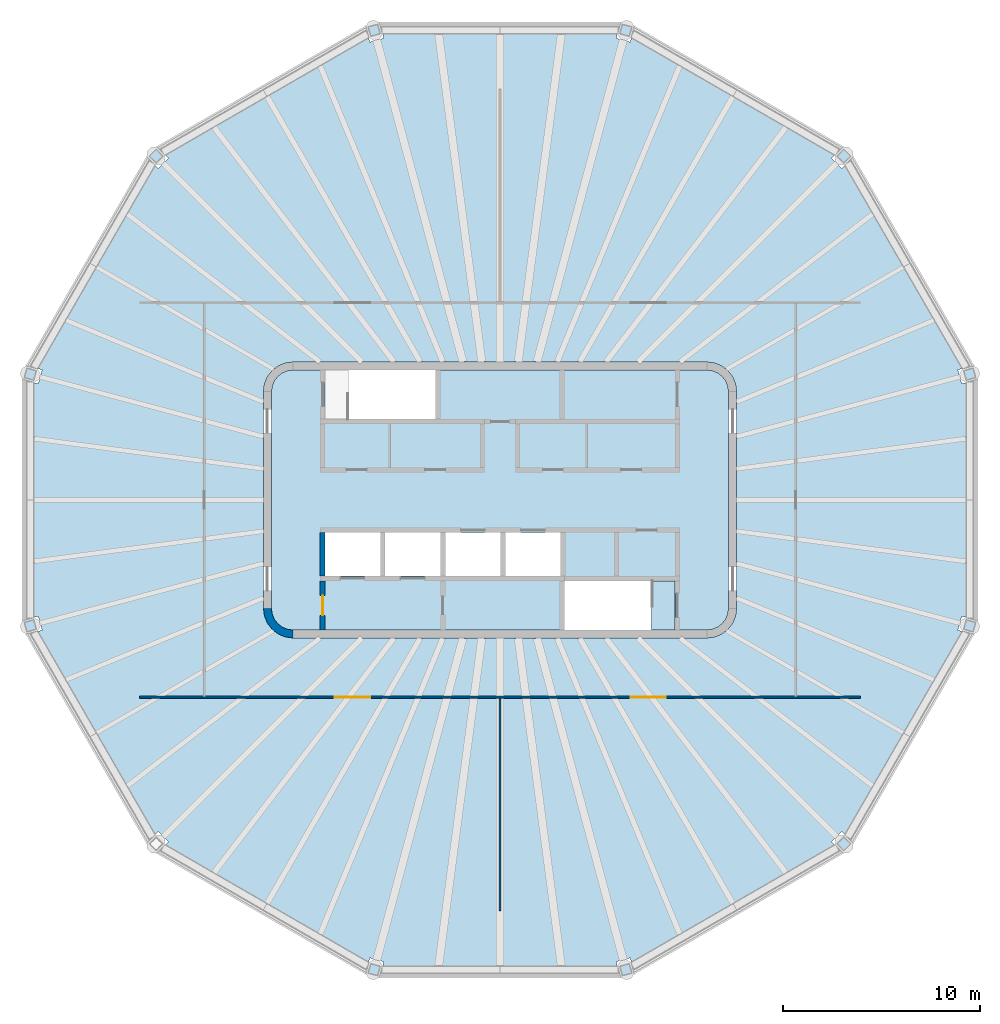
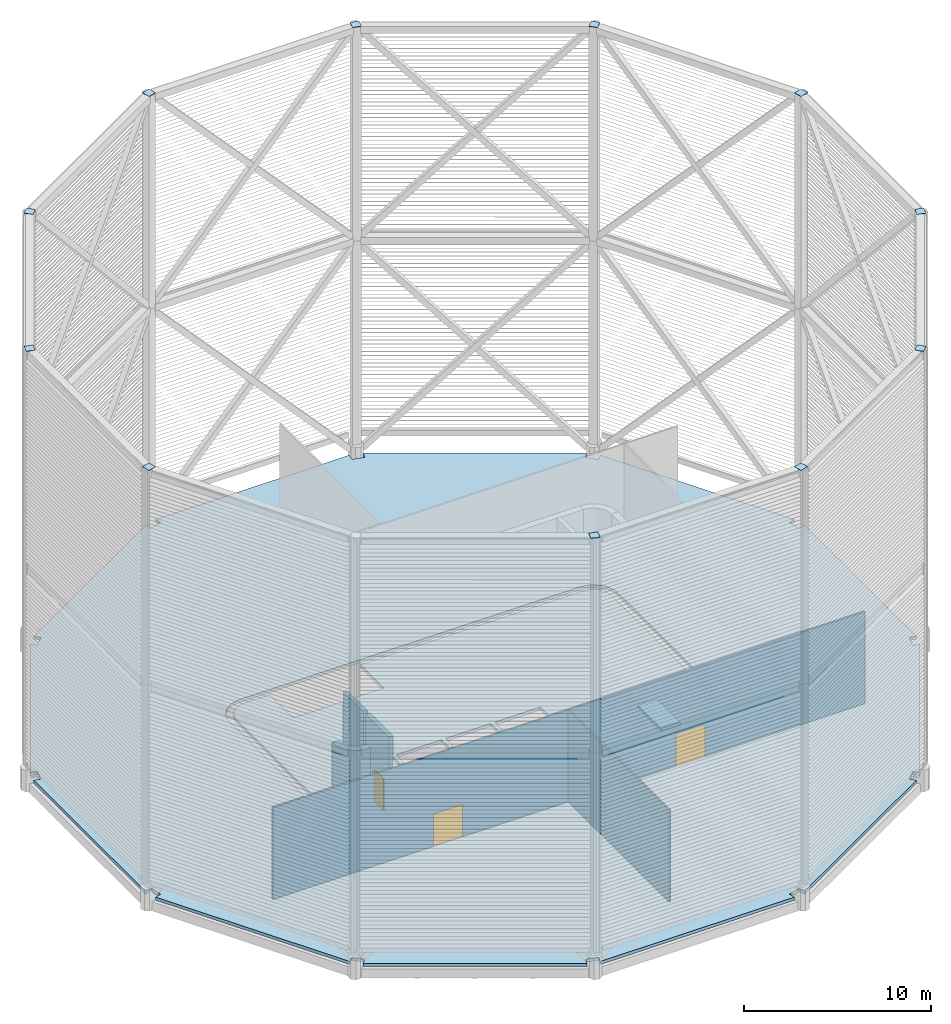
# One storey, part 4 of 18: 11 plates, 5 walls, 3 doors, 3 slabs, 3 openings.
"""IFC4 building model written with IfcOpenShell, lengths in metres."""

from ifc_helpers import new_model, si_unit, direction, frame, frame_2d, origin, place, context, subcontext, project, spatial, polyline, rectangle, outline, extrude, material, layer, layer_set, type_object, element, fill, save


model = new_model("IFC4")

# Units and contexts
model_context = context("Model", 3, precision=1e-05, world=origin(), true_north=direction((0.0, 1.0)))
body_context = subcontext(model_context, "Body", "Model", "MODEL_VIEW")
ifc_project = project(units=[si_unit("LENGTHUNIT", "METRE"), si_unit("AREAUNIT", "SQUARE_METRE"), si_unit("VOLUMEUNIT", "CUBIC_METRE"), si_unit("PLANEANGLEUNIT", "RADIAN"), si_unit("MASSUNIT", "GRAM", prefix="KILO")], contexts=[model_context])

# Site, building, storey
site_placement = place(None, origin())
site = spatial("IfcSite", under=ifc_project, at=site_placement, CompositionType="ELEMENT")
building_placement = place(site_placement, origin())
building = spatial("IfcBuilding", under=site, at=building_placement, Name="Sahrelin Media Tower", CompositionType="ELEMENT")
storey_placement = place(building_placement, frame((0.0, 0.0, 335.800048828125)))
storey = spatial("IfcBuildingStorey", under=building, at=storey_placement, Name="Crown", CompositionType="ELEMENT", Elevation=335.800048828125)

# Slabs
ifc_material_1 = material(Name="Concrete C40/50", Category="concrete")
ifc_layer_1 = layer(ifc_material_1, 0.199951171875)
ifc_layer_set_1 = layer_set([ifc_layer_1], Name="Composite roof slab 200")
slab_type_1 = type_object("IfcSlabType", Name="Composite roof slab 200", PredefinedType="ROOF", material=ifc_layer_set_1)
placement_1 = place(storey_placement, frame((0.0, 0.0, -0.199951171875)))
element("IfcSlab", 1, at=placement_1, inside=storey, type_object=slab_type_1, Name="Roof slab Crown", PredefinedType="ROOF", context=body_context, shape_type="SweptSolid", body=[
    extrude(outline(polyline([(23.810302734375, -5.996826171875), (23.810302734375, 5.996826171875), (23.443115234375, 5.8984375), (23.441162109375, 5.898193359375), (23.439208984375, 5.89794921875), (23.437255859375, 5.897705078125), (23.435302734375, 5.89794921875), (23.433349609375, 5.898193359375), (23.431396484375, 5.89892578125), (23.4296875, 5.899658203125), (23.427734375, 5.900390625), (23.42626953125, 5.901611328125), (23.424560546875, 5.90283203125), (23.423095703125, 5.904052734375), (23.422119140625, 5.905517578125), (23.4208984375, 5.9072265625), (23.419921875, 5.908935546875), (23.419189453125, 5.910888671875), (23.41845703125, 5.91259765625), (23.2373046875, 6.5888671875), (23.23681640625, 6.5908203125), (23.23681640625, 6.5927734375), (23.23681640625, 6.594482421875), (23.23681640625, 6.5966796875), (23.2373046875, 6.598388671875), (23.23779296875, 6.600341796875), (23.23828125, 6.602294921875), (23.2392578125, 6.60400390625), (23.240478515625, 6.605712890625), (23.24169921875, 6.607177734375), (23.242919921875, 6.608642578125), (23.244384765625, 6.60986328125), (23.24609375, 6.61083984375), (23.247802734375, 6.61181640625), (23.24951171875, 6.61279296875), (23.25146484375, 6.61328125), (23.61865234375, 6.711669921875), (17.621826171875, 17.098388671875), (17.35302734375, 16.82958984375), (17.3515625, 16.828369140625), (17.349853515625, 16.8271484375), (17.348388671875, 16.826171875), (17.346435546875, 16.825439453125), (17.344482421875, 16.82470703125), (17.3427734375, 16.82421875), (17.3408203125, 16.823974609375), (17.3388671875, 16.823974609375), (17.3369140625, 16.823974609375), (17.3349609375, 16.82421875), (17.3330078125, 16.82470703125), (17.331298828125, 16.825439453125), (17.329345703125, 16.826171875), (17.32763671875, 16.8271484375), (17.326171875, 16.828369140625), (17.32470703125, 16.82958984375), (16.82958984375, 17.32470703125), (16.828369140625, 17.326171875), (16.8271484375, 17.32763671875), (16.826171875, 17.329345703125), (16.825439453125, 17.331298828125), (16.82470703125, 17.3330078125), (16.82421875, 17.3349609375), (16.823974609375, 17.3369140625), (16.823974609375, 17.3388671875), (16.823974609375, 17.3408203125), (16.82421875, 17.3427734375), (16.82470703125, 17.344482421875), (16.825439453125, 17.346435546875), (16.826171875, 17.348388671875), (16.8271484375, 17.349853515625), (16.828369140625, 17.3515625), (16.82958984375, 17.35302734375), (17.098388671875, 17.621826171875), (6.711669921875, 23.61865234375), (6.61328125, 23.25146484375), (6.61279296875, 23.24951171875), (6.61181640625, 23.247802734375), (6.61083984375, 23.24609375), (6.60986328125, 23.244384765625), (6.608642578125, 23.242919921875), (6.607177734375, 23.24169921875), (6.605712890625, 23.240478515625), (6.60400390625, 23.2392578125), (6.602294921875, 23.23828125), (6.600341796875, 23.23779296875), (6.598388671875, 23.2373046875), (6.5966796875, 23.23681640625), (6.594482421875, 23.23681640625), (6.5927734375, 23.23681640625), (6.5908203125, 23.23681640625), (6.5888671875, 23.2373046875), (5.91259765625, 23.41845703125), (5.910888671875, 23.419189453125), (5.908935546875, 23.419921875), (5.9072265625, 23.4208984375), (5.905517578125, 23.422119140625), (5.904052734375, 23.423095703125), (5.90283203125, 23.424560546875), (5.901611328125, 23.42626953125), (5.900390625, 23.427734375), (5.899658203125, 23.4296875), (5.89892578125, 23.431396484375), (5.898193359375, 23.433349609375), (5.89794921875, 23.435302734375), (5.897705078125, 23.437255859375), (5.89794921875, 23.439208984375), (5.898193359375, 23.441162109375), (5.8984375, 23.443115234375), (5.996826171875, 23.810302734375), (-5.996826171875, 23.810302734375), (-5.8984375, 23.443115234375), (-5.898193359375, 23.441162109375), (-5.89794921875, 23.439208984375), (-5.897705078125, 23.437255859375), (-5.89794921875, 23.435302734375), (-5.898193359375, 23.433349609375), (-5.89892578125, 23.431396484375), (-5.899658203125, 23.4296875), (-5.900390625, 23.427734375), (-5.901611328125, 23.42626953125), (-5.90283203125, 23.424560546875), (-5.904052734375, 23.423095703125), (-5.905517578125, 23.422119140625), (-5.9072265625, 23.4208984375), (-5.908935546875, 23.419921875), (-5.910888671875, 23.419189453125), (-5.91259765625, 23.41845703125), (-6.5888671875, 23.2373046875), (-6.5908203125, 23.23681640625), (-6.5927734375, 23.23681640625), (-6.594482421875, 23.23681640625), (-6.5966796875, 23.23681640625), (-6.598388671875, 23.2373046875), (-6.600341796875, 23.23779296875), (-6.602294921875, 23.23828125), (-6.60400390625, 23.2392578125), (-6.605712890625, 23.240478515625), (-6.607177734375, 23.24169921875), (-6.608642578125, 23.242919921875), (-6.60986328125, 23.244384765625), (-6.61083984375, 23.24609375), (-6.61181640625, 23.247802734375), (-6.61279296875, 23.24951171875), (-6.61328125, 23.25146484375), (-6.711669921875, 23.61865234375), (-17.098388671875, 17.621826171875), (-16.82958984375, 17.35302734375), (-16.828369140625, 17.3515625), (-16.8271484375, 17.349853515625), (-16.826171875, 17.348388671875), (-16.825439453125, 17.346435546875), (-16.82470703125, 17.344482421875), (-16.82421875, 17.3427734375), (-16.823974609375, 17.3408203125), (-16.823974609375, 17.3388671875), (-16.823974609375, 17.3369140625), (-16.82421875, 17.3349609375), (-16.82470703125, 17.3330078125), (-16.825439453125, 17.331298828125), (-16.826171875, 17.329345703125), (-16.8271484375, 17.32763671875), (-16.828369140625, 17.326171875), (-16.82958984375, 17.32470703125), (-17.32470703125, 16.82958984375), (-17.326171875, 16.828369140625), (-17.32763671875, 16.8271484375), (-17.329345703125, 16.826171875), (-17.331298828125, 16.825439453125), (-17.3330078125, 16.82470703125), (-17.3349609375, 16.82421875), (-17.3369140625, 16.823974609375), (-17.3388671875, 16.823974609375), (-17.3408203125, 16.823974609375), (-17.3427734375, 16.82421875), (-17.344482421875, 16.82470703125), (-17.346435546875, 16.825439453125), (-17.348388671875, 16.826171875), (-17.349853515625, 16.8271484375), (-17.3515625, 16.828369140625), (-17.35302734375, 16.82958984375), (-17.621826171875, 17.098388671875), (-23.61865234375, 6.711669921875), (-23.25146484375, 6.61328125), (-23.24951171875, 6.61279296875), (-23.247802734375, 6.61181640625), (-23.24609375, 6.61083984375), (-23.244384765625, 6.60986328125), (-23.242919921875, 6.608642578125), (-23.24169921875, 6.607177734375), (-23.240478515625, 6.605712890625), (-23.2392578125, 6.60400390625), (-23.23828125, 6.602294921875), (-23.23779296875, 6.600341796875), (-23.2373046875, 6.598388671875), (-23.23681640625, 6.5966796875), (-23.23681640625, 6.594482421875), (-23.23681640625, 6.5927734375), (-23.23681640625, 6.5908203125), (-23.2373046875, 6.5888671875), (-23.41845703125, 5.91259765625), (-23.419189453125, 5.910888671875), (-23.419921875, 5.908935546875), (-23.4208984375, 5.9072265625), (-23.422119140625, 5.905517578125), (-23.423095703125, 5.904052734375), (-23.424560546875, 5.90283203125), (-23.42626953125, 5.901611328125), (-23.427734375, 5.900390625), (-23.4296875, 5.899658203125), (-23.431396484375, 5.89892578125), (-23.433349609375, 5.898193359375), (-23.435302734375, 5.89794921875), (-23.437255859375, 5.897705078125), (-23.439208984375, 5.89794921875), (-23.441162109375, 5.898193359375), (-23.443115234375, 5.8984375), (-23.810302734375, 5.996826171875), (-23.810302734375, -5.996826171875), (-23.443115234375, -5.8984375), (-23.441162109375, -5.898193359375), (-23.439208984375, -5.89794921875), (-23.437255859375, -5.897705078125), (-23.435302734375, -5.89794921875), (-23.433349609375, -5.898193359375), (-23.431396484375, -5.89892578125), (-23.4296875, -5.899658203125), (-23.427734375, -5.900390625), (-23.42626953125, -5.901611328125), (-23.424560546875, -5.90283203125), (-23.423095703125, -5.904052734375), (-23.422119140625, -5.905517578125), (-23.4208984375, -5.9072265625), (-23.419921875, -5.908935546875), (-23.419189453125, -5.910888671875), (-23.41845703125, -5.91259765625), (-23.2373046875, -6.5888671875), (-23.23681640625, -6.5908203125), (-23.23681640625, -6.5927734375), (-23.23681640625, -6.594482421875), (-23.23681640625, -6.5966796875), (-23.2373046875, -6.598388671875), (-23.23779296875, -6.600341796875), (-23.23828125, -6.602294921875), (-23.2392578125, -6.60400390625), (-23.240478515625, -6.605712890625), (-23.24169921875, -6.607177734375), (-23.242919921875, -6.608642578125), (-23.244384765625, -6.60986328125), (-23.24609375, -6.61083984375), (-23.247802734375, -6.61181640625), (-23.24951171875, -6.61279296875), (-23.25146484375, -6.61328125), (-23.61865234375, -6.711669921875), (-17.621826171875, -17.098388671875), (-17.35302734375, -16.82958984375), (-17.3515625, -16.828369140625), (-17.349853515625, -16.8271484375), (-17.348388671875, -16.826171875), (-17.346435546875, -16.825439453125), (-17.344482421875, -16.82470703125), (-17.3427734375, -16.82421875), (-17.3408203125, -16.823974609375), (-17.3388671875, -16.823974609375), (-17.3369140625, -16.823974609375), (-17.3349609375, -16.82421875), (-17.3330078125, -16.82470703125), (-17.331298828125, -16.825439453125), (-17.329345703125, -16.826171875), (-17.32763671875, -16.8271484375), (-17.326171875, -16.828369140625), (-17.32470703125, -16.82958984375), (-16.82958984375, -17.32470703125), (-16.828369140625, -17.326171875), (-16.8271484375, -17.32763671875), (-16.826171875, -17.329345703125), (-16.825439453125, -17.331298828125), (-16.82470703125, -17.3330078125), (-16.82421875, -17.3349609375), (-16.823974609375, -17.3369140625), (-16.823974609375, -17.3388671875), (-16.823974609375, -17.3408203125), (-16.82421875, -17.3427734375), (-16.82470703125, -17.344482421875), (-16.825439453125, -17.346435546875), (-16.826171875, -17.348388671875), (-16.8271484375, -17.349853515625), (-16.828369140625, -17.3515625), (-16.82958984375, -17.35302734375), (-17.098388671875, -17.621826171875), (-6.711669921875, -23.61865234375), (-6.61328125, -23.25146484375), (-6.61279296875, -23.24951171875), (-6.61181640625, -23.247802734375), (-6.61083984375, -23.24609375), (-6.60986328125, -23.244384765625), (-6.608642578125, -23.242919921875), (-6.607177734375, -23.24169921875), (-6.605712890625, -23.240478515625), (-6.60400390625, -23.2392578125), (-6.602294921875, -23.23828125), (-6.600341796875, -23.23779296875), (-6.598388671875, -23.2373046875), (-6.5966796875, -23.23681640625), (-6.594482421875, -23.23681640625), (-6.5927734375, -23.23681640625), (-6.5908203125, -23.23681640625), (-6.5888671875, -23.2373046875), (-5.91259765625, -23.41845703125), (-5.910888671875, -23.419189453125), (-5.908935546875, -23.419921875), (-5.9072265625, -23.4208984375), (-5.905517578125, -23.422119140625), (-5.904052734375, -23.423095703125), (-5.90283203125, -23.424560546875), (-5.901611328125, -23.42626953125), (-5.900390625, -23.427734375), (-5.899658203125, -23.4296875), (-5.89892578125, -23.431396484375), (-5.898193359375, -23.433349609375), (-5.89794921875, -23.435302734375), (-5.897705078125, -23.437255859375), (-5.89794921875, -23.439208984375), (-5.898193359375, -23.441162109375), (-5.8984375, -23.443115234375), (-5.996826171875, -23.810302734375), (5.996826171875, -23.810302734375), (5.8984375, -23.443115234375), (5.898193359375, -23.441162109375), (5.89794921875, -23.439208984375), (5.897705078125, -23.437255859375), (5.89794921875, -23.435302734375), (5.898193359375, -23.433349609375), (5.89892578125, -23.431396484375), (5.899658203125, -23.4296875), (5.900390625, -23.427734375), (5.901611328125, -23.42626953125), (5.90283203125, -23.424560546875), (5.904052734375, -23.423095703125), (5.905517578125, -23.422119140625), (5.9072265625, -23.4208984375), (5.908935546875, -23.419921875), (5.910888671875, -23.419189453125), (5.91259765625, -23.41845703125), (6.5888671875, -23.2373046875), (6.5908203125, -23.23681640625), (6.5927734375, -23.23681640625), (6.594482421875, -23.23681640625), (6.5966796875, -23.23681640625), (6.598388671875, -23.2373046875), (6.600341796875, -23.23779296875), (6.602294921875, -23.23828125), (6.60400390625, -23.2392578125), (6.605712890625, -23.240478515625), (6.607177734375, -23.24169921875), (6.608642578125, -23.242919921875), (6.60986328125, -23.244384765625), (6.61083984375, -23.24609375), (6.61181640625, -23.247802734375), (6.61279296875, -23.24951171875), (6.61328125, -23.25146484375), (6.711669921875, -23.61865234375), (17.098388671875, -17.621826171875), (16.82958984375, -17.35302734375), (16.828369140625, -17.3515625), (16.8271484375, -17.349853515625), (16.826171875, -17.348388671875), (16.825439453125, -17.346435546875), (16.82470703125, -17.344482421875), (16.82421875, -17.3427734375), (16.823974609375, -17.3408203125), (16.823974609375, -17.3388671875), (16.823974609375, -17.3369140625), (16.82421875, -17.3349609375), (16.82470703125, -17.3330078125), (16.825439453125, -17.331298828125), (16.826171875, -17.329345703125), (16.8271484375, -17.32763671875), (16.828369140625, -17.326171875), (16.82958984375, -17.32470703125), (17.32470703125, -16.82958984375), (17.326171875, -16.828369140625), (17.32763671875, -16.8271484375), (17.329345703125, -16.826171875), (17.331298828125, -16.825439453125), (17.3330078125, -16.82470703125), (17.3349609375, -16.82421875), (17.3369140625, -16.823974609375), (17.3388671875, -16.823974609375), (17.3408203125, -16.823974609375), (17.3427734375, -16.82421875), (17.344482421875, -16.82470703125), (17.346435546875, -16.825439453125), (17.348388671875, -16.826171875), (17.349853515625, -16.8271484375), (17.3515625, -16.828369140625), (17.35302734375, -16.82958984375), (17.621826171875, -17.098388671875), (23.61865234375, -6.711669921875), (23.25146484375, -6.61328125), (23.24951171875, -6.61279296875), (23.247802734375, -6.61181640625), (23.24609375, -6.61083984375), (23.244384765625, -6.60986328125), (23.242919921875, -6.608642578125), (23.24169921875, -6.607177734375), (23.240478515625, -6.605712890625), (23.2392578125, -6.60400390625), (23.23828125, -6.602294921875), (23.23779296875, -6.600341796875), (23.2373046875, -6.598388671875), (23.23681640625, -6.5966796875), (23.23681640625, -6.594482421875), (23.23681640625, -6.5927734375), (23.23681640625, -6.5908203125), (23.2373046875, -6.5888671875), (23.41845703125, -5.91259765625), (23.419189453125, -5.910888671875), (23.419921875, -5.908935546875), (23.4208984375, -5.9072265625), (23.422119140625, -5.905517578125), (23.423095703125, -5.904052734375), (23.424560546875, -5.90283203125), (23.42626953125, -5.901611328125), (23.427734375, -5.900390625), (23.4296875, -5.899658203125), (23.431396484375, -5.89892578125), (23.433349609375, -5.898193359375), (23.435302734375, -5.89794921875), (23.437255859375, -5.897705078125), (23.439208984375, -5.89794921875), (23.441162109375, -5.898193359375), (23.443115234375, -5.8984375), (23.810302734375, -5.996826171875)]), holes=[polyline([(12.0, 5.5), (12.0, -5.5), (11.948974609375, -5.88818359375), (11.799072265625, -6.25), (11.560791015625, -6.560791015625), (11.25, -6.799072265625), (10.88818359375, -6.948974609375), (10.5, -7.0), (-10.5, -7.0), (-10.88818359375, -6.948974609375), (-11.25, -6.799072265625), (-11.560791015625, -6.560791015625), (-11.799072265625, -6.25), (-11.948974609375, -5.88818359375), (-12.0, -5.5), (-12.0, 5.5), (-11.948974609375, 5.88818359375), (-11.799072265625, 6.25), (-11.560791015625, 6.560791015625), (-11.25, 6.799072265625), (-10.88818359375, 6.948974609375), (-10.5, 7.0), (10.5, 7.0), (10.88818359375, 6.948974609375), (11.25, 6.799072265625), (11.560791015625, 6.560791015625), (11.799072265625, 6.25), (11.948974609375, 5.88818359375), (12.0, 5.5)])]), origin(), (0.0, 0.0, 1.0), 0.199951171875),
])
ifc_layer_2 = layer(ifc_material_1, 0.199951171875)
ifc_layer_set_2 = layer_set([ifc_layer_2], Name="Core floor slab 200")
slab_type_2 = type_object("IfcSlabType", Name="Core floor slab 200", PredefinedType="FLOOR", material=ifc_layer_set_2)
element("IfcSlab", 2, at=placement_1, inside=storey, type_object=slab_type_2, Name="Core floor", PredefinedType="FLOOR", context=body_context, shape_type="SweptSolid", body=[
    extrude(outline(polyline([(10.78369140625, -6.55908203125), (11.04833984375, -6.44970703125), (11.275390625, -6.275390625), (11.44970703125, -6.04833984375), (11.55908203125, -5.78369140625), (11.60009765625, -5.473876953125), (11.60009765625, 5.473876953125), (11.55908203125, 5.78369140625), (11.44970703125, 6.04833984375), (11.275390625, 6.275390625), (11.04833984375, 6.44970703125), (10.78369140625, 6.55908203125), (10.473876953125, 6.60009765625), (-3.27490234375, 6.60009765625), (-3.27490234375, 4.10009765625), (-8.875, 4.10009765625), (-8.875, 6.60009765625), (-10.473876953125, 6.60009765625), (-10.78369140625, 6.55908203125), (-11.04833984375, 6.44970703125), (-11.275390625, 6.275390625), (-11.44970703125, 6.04833984375), (-11.55908203125, 5.78369140625), (-11.60009765625, 5.473876953125), (-11.60009765625, -5.473876953125), (-11.55908203125, -5.78369140625), (-11.44970703125, -6.04833984375), (-11.275390625, -6.275390625), (-11.04833984375, -6.44970703125), (-10.78369140625, -6.55908203125), (-10.473876953125, -6.60009765625), (3.27490234375, -6.60009765625), (3.27490234375, -4.10009765625), (8.875, -4.10009765625), (8.875, -6.60009765625), (10.473876953125, -6.60009765625), (10.78369140625, -6.55908203125)]), holes=[polyline([(-8.875, -1.64990234375), (-8.875, -3.85009765625), (-6.074951171875, -3.85009765625), (-6.074951171875, -1.64990234375), (-8.875, -1.64990234375)]), polyline([(-3.02490234375, -1.64990234375), (-5.824951171875, -1.64990234375), (-5.824951171875, -3.85009765625), (-3.02490234375, -3.85009765625), (-3.02490234375, -1.64990234375)]), polyline([(0.02490234375, -3.85009765625), (0.02490234375, -1.64990234375), (-2.77490234375, -1.64990234375), (-2.77490234375, -3.85009765625), (0.02490234375, -3.85009765625)]), polyline([(0.27490234375, -3.85009765625), (3.074951171875, -3.85009765625), (3.074951171875, -1.64990234375), (0.27490234375, -1.64990234375), (0.27490234375, -3.85009765625)])]), origin(), (0.0, 0.0, 1.0), 0.199951171875),
])

# Plates
ifc_material_2 = material(Name="Steel S355", Category="steel")
ifc_layer_3 = layer(ifc_material_2, 0.030029296875)
ifc_layer_set_3 = layer_set([ifc_layer_3], Name="Crown post cap plate")
plate_type = type_object("IfcPlateType", Name="Crown post cap plate", PredefinedType="SHEET", material=ifc_layer_set_3)
placement_2 = place(storey_placement, frame((0.0, 0.0, 27.969970703125)))
element("IfcPlate", 3, at=placement_2, inside=storey, type_object=plate_type, Name="Crown post cap plate N17-00", PredefinedType="SHEET", context=body_context, shape_type="SweptSolid", body=[
    extrude(outline(polyline([(23.6533203125, 6.0791015625), (24.136474609375, 6.20849609375), (24.007080078125, 6.69140625), (23.52392578125, 6.56201171875), (23.6533203125, 6.0791015625)])), origin(), (0.0, 0.0, 1.0), 0.030029296875),
])
element("IfcPlate", 4, at=placement_2, inside=storey, type_object=plate_type, Name="Crown post cap plate N17-01", PredefinedType="SHEET", context=body_context, shape_type="SweptSolid", body=[
    extrude(outline(polyline([(17.44482421875, 17.09130859375), (17.798583984375, 17.44482421875), (17.44482421875, 17.798583984375), (17.09130859375, 17.44482421875), (17.44482421875, 17.09130859375)])), origin(), (0.0, 0.0, 1.0), 0.030029296875),
])
element("IfcPlate", 5, at=placement_2, inside=storey, type_object=plate_type, Name="Crown post cap plate N17-02", PredefinedType="SHEET", context=body_context, shape_type="SweptSolid", body=[
    extrude(outline(polyline([(6.56201171875, 23.52392578125), (6.69140625, 24.007080078125), (6.20849609375, 24.136474609375), (6.0791015625, 23.6533203125), (6.56201171875, 23.52392578125)])), origin(), (0.0, 0.0, 1.0), 0.030029296875),
])
element("IfcPlate", 6, at=placement_2, inside=storey, type_object=plate_type, Name="Crown post cap plate N17-03", PredefinedType="SHEET", context=body_context, shape_type="SweptSolid", body=[
    extrude(outline(polyline([(-6.0791015625, 23.6533203125), (-6.20849609375, 24.136474609375), (-6.69140625, 24.007080078125), (-6.56201171875, 23.52392578125), (-6.0791015625, 23.6533203125)])), origin(), (0.0, 0.0, 1.0), 0.030029296875),
])
element("IfcPlate", 7, at=placement_2, inside=storey, type_object=plate_type, Name="Crown post cap plate N17-04", PredefinedType="SHEET", context=body_context, shape_type="SweptSolid", body=[
    extrude(outline(polyline([(-17.09130859375, 17.44482421875), (-17.44482421875, 17.798583984375), (-17.798583984375, 17.44482421875), (-17.44482421875, 17.09130859375), (-17.09130859375, 17.44482421875)])), origin(), (0.0, 0.0, 1.0), 0.030029296875),
])
element("IfcPlate", 8, at=placement_2, inside=storey, type_object=plate_type, Name="Crown post cap plate N17-05", PredefinedType="SHEET", context=body_context, shape_type="SweptSolid", body=[
    extrude(outline(polyline([(-23.52392578125, 6.56201171875), (-24.007080078125, 6.69140625), (-24.136474609375, 6.20849609375), (-23.6533203125, 6.0791015625), (-23.52392578125, 6.56201171875)])), origin(), (0.0, 0.0, 1.0), 0.030029296875),
])
element("IfcPlate", 9, at=placement_2, inside=storey, type_object=plate_type, Name="Crown post cap plate N17-06", PredefinedType="SHEET", context=body_context, shape_type="SweptSolid", body=[
    extrude(outline(polyline([(-23.6533203125, -6.0791015625), (-24.136474609375, -6.20849609375), (-24.007080078125, -6.69140625), (-23.52392578125, -6.56201171875), (-23.6533203125, -6.0791015625)])), origin(), (0.0, 0.0, 1.0), 0.030029296875),
])
element("IfcPlate", 10, at=placement_2, inside=storey, type_object=plate_type, Name="Crown post cap plate N17-08", PredefinedType="SHEET", context=body_context, shape_type="SweptSolid", body=[
    extrude(outline(polyline([(-6.56201171875, -23.52392578125), (-6.69140625, -24.007080078125), (-6.20849609375, -24.136474609375), (-6.0791015625, -23.6533203125), (-6.56201171875, -23.52392578125)])), origin(), (0.0, 0.0, 1.0), 0.030029296875),
])
element("IfcPlate", 11, at=placement_2, inside=storey, type_object=plate_type, Name="Crown post cap plate N17-09", PredefinedType="SHEET", context=body_context, shape_type="SweptSolid", body=[
    extrude(outline(polyline([(6.0791015625, -23.6533203125), (6.20849609375, -24.136474609375), (6.69140625, -24.007080078125), (6.56201171875, -23.52392578125), (6.0791015625, -23.6533203125)])), origin(), (0.0, 0.0, 1.0), 0.030029296875),
])
element("IfcPlate", 12, at=placement_2, inside=storey, type_object=plate_type, Name="Crown post cap plate N17-10", PredefinedType="SHEET", context=body_context, shape_type="SweptSolid", body=[
    extrude(outline(polyline([(17.09130859375, -17.44482421875), (17.44482421875, -17.798583984375), (17.798583984375, -17.44482421875), (17.44482421875, -17.09130859375), (17.09130859375, -17.44482421875)])), origin(), (0.0, 0.0, 1.0), 0.030029296875),
])
element("IfcPlate", 13, at=placement_2, inside=storey, type_object=plate_type, Name="Crown post cap plate N17-11", PredefinedType="SHEET", context=body_context, shape_type="SweptSolid", body=[
    extrude(outline(polyline([(23.52392578125, -6.56201171875), (24.007080078125, -6.69140625), (24.136474609375, -6.20849609375), (23.6533203125, -6.0791015625), (23.52392578125, -6.56201171875)])), origin(), (0.0, 0.0, 1.0), 0.030029296875),
])

# Slab
ifc_layer_4 = layer(ifc_material_1, 0.199951171875)
ifc_layer_set_4 = layer_set([ifc_layer_4], Name="Stair landing 200")
slab_type_3 = type_object("IfcSlabType", Name="Stair landing 200", PredefinedType="LANDING", material=ifc_layer_set_4)
element("IfcSlab", 14, at=placement_1, inside=storey, type_object=slab_type_3, Name="ST2 Crown floor landing", PredefinedType="LANDING", context=body_context, shape_type="SweptSolid", body=[
    extrude(outline(polyline([(8.875, -4.10009765625), (7.675048828125, -4.10009765625), (7.675048828125, -6.60009765625), (8.875, -6.60009765625), (8.875, -4.10009765625)])), origin(), (0.0, 0.0, 1.0), 0.199951171875),
])

# Wall
ifc_material_3 = material(Name="Concrete C60/75", Category="concrete")
ifc_layer_5 = layer(ifc_material_3, 0.39990234375)
ifc_layer_set_5 = layer_set([ifc_layer_5], Name="Core wall 400")
wall_type_1 = type_object("IfcWallType", Name="Core wall 400", PredefinedType="SHEAR", material=ifc_layer_set_5)
wall_1_placement = place(storey_placement, origin())
element("IfcWall", 15, at=wall_1_placement, inside=storey, type_object=wall_type_1, Name="Core wall corner SW Crown", PredefinedType="SHEAR", context=body_context, shape_type="SweptSolid", body=[
    extrude(outline(polyline([(-10.5, -7.0), (-10.5, -6.596435546875), (-10.78369140625, -6.55908203125), (-11.04833984375, -6.44970703125), (-11.275390625, -6.275390625), (-11.44970703125, -6.04833984375), (-11.55908203125, -5.78369140625), (-11.596435546875, -5.5), (-12.0, -5.5), (-11.948974609375, -5.88818359375), (-11.799072265625, -6.25), (-11.560791015625, -6.560791015625), (-11.25, -6.799072265625), (-10.88818359375, -6.948974609375), (-10.5, -7.0)])), origin(), (0.0, 0.0, 1.0), 5.300048828125),
])

# Wall, opening, door
ifc_material_4 = material(Name="Fire-rated gypsum board partition")
ifc_layer_6 = layer(ifc_material_4, 0.25)
ifc_layer_set_6 = layer_set([ifc_layer_6], Name="Firefighting lobby wall 250")
wall_type_2 = type_object("IfcWallType", Name="Firefighting lobby wall 250", PredefinedType="PARTITIONING", material=ifc_layer_set_6)
wall_2_placement = place(storey_placement, frame((-9.0, -6.60009765625, 0.0), z_axis=(0.0, 0.0, 1.0), x_axis=(0.0, 1.0, 0.0)))
wall_2 = element("IfcWall", 16, at=wall_2_placement, inside=storey, type_object=wall_type_2, Name="Core wall", PredefinedType="PARTITIONING", context=body_context, shape_type="SweptSolid", body=[
    extrude(rectangle(XDim=2.5, YDim=0.25, at=frame_2d((1.25, 0.0))), origin(), (0.0, 0.0, 1.0), 5.300048828125),
])
opening_1_placement = place(wall_2_placement, frame((0.75, 0.0, 0.0)))
opening_1 = element("IfcOpeningElement", 17, at=opening_1_placement, cuts=wall_2, Name="Opening Crown-D04", PredefinedType="OPENING", context=body_context, shape_type="SweptSolid", body=[
    extrude(rectangle(XDim=1.0, YDim=2.10009765625, at=frame_2d((0.5, 1.050048828125))), frame((0.0, 0.125, 0.0), z_axis=(0.0, -1.0, 0.0), x_axis=(1.0, 0.0, 0.0)), (0.0, 0.0, 1.0), 0.25),
])
ifc_material_5 = material(Name="Steel fire door leaf", Category="steel")
door_type_1 = type_object("IfcDoorType", Name="Firefighting lobby door 1000 x 2100 EI 120", OperationType="NOTDEFINED", PredefinedType="DOOR", material=ifc_material_5)
door_1_placement = place(opening_1_placement, origin())
door_1 = element("IfcDoor", 18, at=door_1_placement, inside=storey, type_object=door_type_1, Name="Firefighting lobby door", OperationType="SINGLE_SWING_LEFT", OverallHeight=2.10009765625, OverallWidth=1.0, PredefinedType="DOOR", context=body_context, shape_type="SweptSolid", body=[
    extrude(rectangle(XDim=1.0, YDim=2.10009765625, at=frame_2d((0.5, 1.050048828125))), frame((0.0, 0.02490234375, 0.0), z_axis=(0.0, -1.0, 0.0), x_axis=(1.0, 0.0, 0.0)), (0.0, 0.0, 1.0), 0.050048828125),
])
fill(opening_1, door_1)

# Wall
ifc_layer_7 = layer(ifc_material_3, 0.25)
ifc_layer_set_7 = layer_set([ifc_layer_7], Name="Lift shaft wall 250")
wall_type_3 = type_object("IfcWallType", Name="Lift shaft wall 250", PredefinedType="SOLIDWALL", material=ifc_layer_set_7)
wall_3_placement = place(storey_placement, frame((-9.0, -3.85009765625, 0.0), z_axis=(0.0, 0.0, 1.0), x_axis=(0.0, 1.0, 0.0)))
element("IfcWall", 19, at=wall_3_placement, inside=storey, type_object=wall_type_3, Name="Lift shaft wall", PredefinedType="SOLIDWALL", context=body_context, shape_type="SweptSolid", body=[
    extrude(rectangle(XDim=2.2001953125, YDim=0.25, at=frame_2d((1.10009765625, 0.0))), origin(), (0.0, 0.0, 1.0), 5.300048828125),
])

# Wall, openings, doors
ifc_material_6 = material(Name="Gypsum board partition")
ifc_layer_8 = layer(ifc_material_6, 0.10009765625)
ifc_layer_set_8 = layer_set([ifc_layer_8], Name="Partition 100")
wall_type_4 = type_object("IfcWallType", Name="Partition 100", PredefinedType="PARTITIONING", material=ifc_layer_set_8)
wall_4_placement = place(storey_placement, frame((-18.279052734375, -10.0, 0.0), z_axis=(0.0, 0.0, 1.0), x_axis=(1.0, 0.0, 0.0)))
wall_4 = element("IfcWall", 20, at=wall_4_placement, inside=storey, type_object=wall_type_4, Name="Wall", PredefinedType="PARTITIONING", context=body_context, shape_type="SweptSolid", body=[
    extrude(rectangle(XDim=36.55810546875, YDim=0.10009765625, at=frame_2d((18.279052734375, 0.0))), origin(), (0.0, 0.0, 1.0), 6.0),
])
opening_2_placement = place(wall_4_placement, frame((9.89990234375, 0.0, 0.0)))
opening_2 = element("IfcOpeningElement", 21, at=opening_2_placement, cuts=wall_4, Name="Opening Crown-D18", PredefinedType="OPENING", context=body_context, shape_type="SweptSolid", body=[
    extrude(rectangle(XDim=1.800048828125, YDim=2.10009765625, at=frame_2d((0.89990234375, 1.050048828125))), frame((0.0, 0.050048828125, 0.0), z_axis=(0.0, -1.0, 0.0), x_axis=(1.0, 0.0, 0.0)), (0.0, 0.0, 1.0), 0.10009765625),
])
opening_3_placement = place(wall_4_placement, frame((24.89990234375, 0.0, 0.0)))
opening_3 = element("IfcOpeningElement", 22, at=opening_3_placement, cuts=wall_4, Name="Opening Crown-D19", PredefinedType="OPENING", context=body_context, shape_type="SweptSolid", body=[
    extrude(rectangle(XDim=1.800048828125, YDim=2.10009765625, at=frame_2d((0.89990234375, 1.050048828125))), frame((0.0, 0.050048828125, 0.0), z_axis=(0.0, -1.0, 0.0), x_axis=(1.0, 0.0, 0.0)), (0.0, 0.0, 1.0), 0.10009765625),
])
ifc_material_7 = material(Name="Timber door leaf", Category="wood")
door_type_2 = type_object("IfcDoorType", Name="Double door 1800 x 2100", OperationType="DOUBLE_DOOR_SINGLE_SWING", PredefinedType="DOOR", material=ifc_material_7)
door_2_placement = place(opening_2_placement, origin())
door_2 = element("IfcDoor", 23, at=door_2_placement, inside=storey, type_object=door_type_2, Name="Double door", OperationType="DOUBLE_DOOR_SINGLE_SWING", OverallHeight=2.10009765625, OverallWidth=1.800048828125, PredefinedType="DOOR", context=body_context, shape_type="SweptSolid", body=[
    extrude(rectangle(XDim=1.800048828125, YDim=2.10009765625, at=frame_2d((0.89990234375, 1.050048828125))), frame((0.0, 0.02490234375, 0.0), z_axis=(0.0, -1.0, 0.0), x_axis=(1.0, 0.0, 0.0)), (0.0, 0.0, 1.0), 0.050048828125),
])
fill(opening_2, door_2)
door_3_placement = place(opening_3_placement, origin())
door_3 = element("IfcDoor", 24, at=door_3_placement, inside=storey, type_object=door_type_2, Name="Double door", OperationType="DOUBLE_DOOR_SINGLE_SWING", OverallHeight=2.10009765625, OverallWidth=1.800048828125, PredefinedType="DOOR", context=body_context, shape_type="SweptSolid", body=[
    extrude(rectangle(XDim=1.800048828125, YDim=2.10009765625, at=frame_2d((0.89990234375, 1.050048828125))), frame((0.0, 0.02490234375, 0.0), z_axis=(0.0, -1.0, 0.0), x_axis=(1.0, 0.0, 0.0)), (0.0, 0.0, 1.0), 0.050048828125),
])
fill(opening_3, door_3)

# Wall
wall_5_placement = place(storey_placement, frame((0.0, -10.050048828125, 0.0), z_axis=(0.0, 0.0, 1.0), x_axis=(0.0, -1.0, 0.0)))
element("IfcWall", 25, at=wall_5_placement, inside=storey, type_object=wall_type_4, Name="Wall", PredefinedType="PARTITIONING", context=body_context, shape_type="SweptSolid", body=[
    extrude(rectangle(XDim=10.780029296875, YDim=0.10009765625, at=frame_2d((5.39013671875, 0.0))), origin(), (0.0, 0.0, 1.0), 6.0),
])

save(model, "model.ifc")
